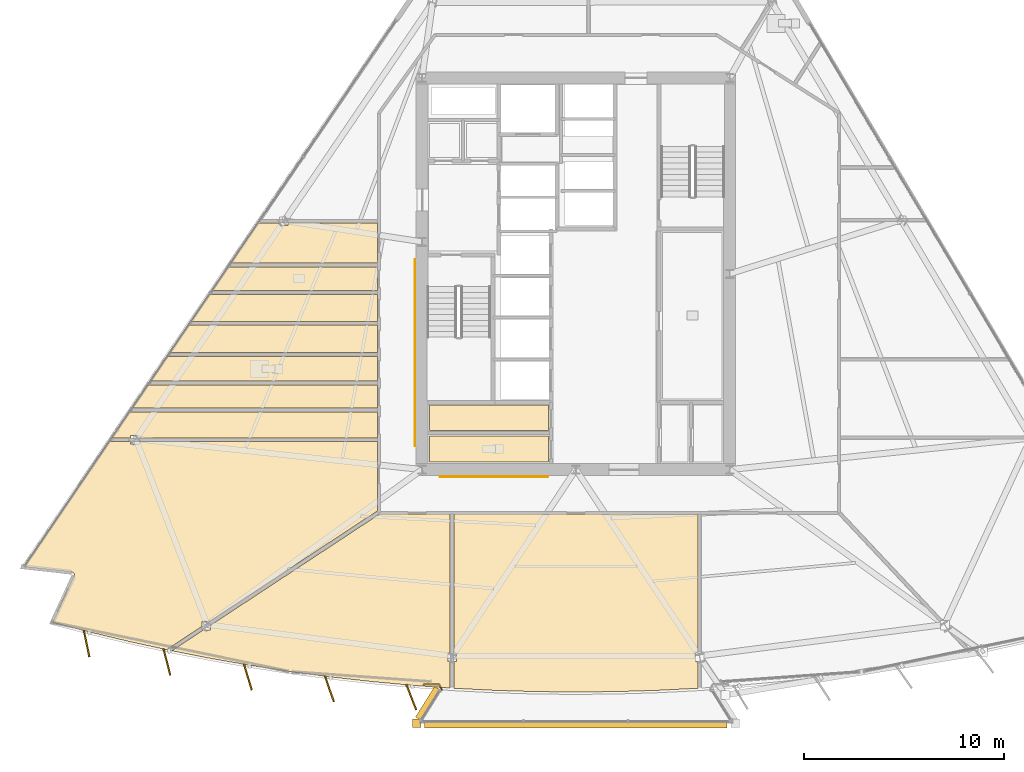
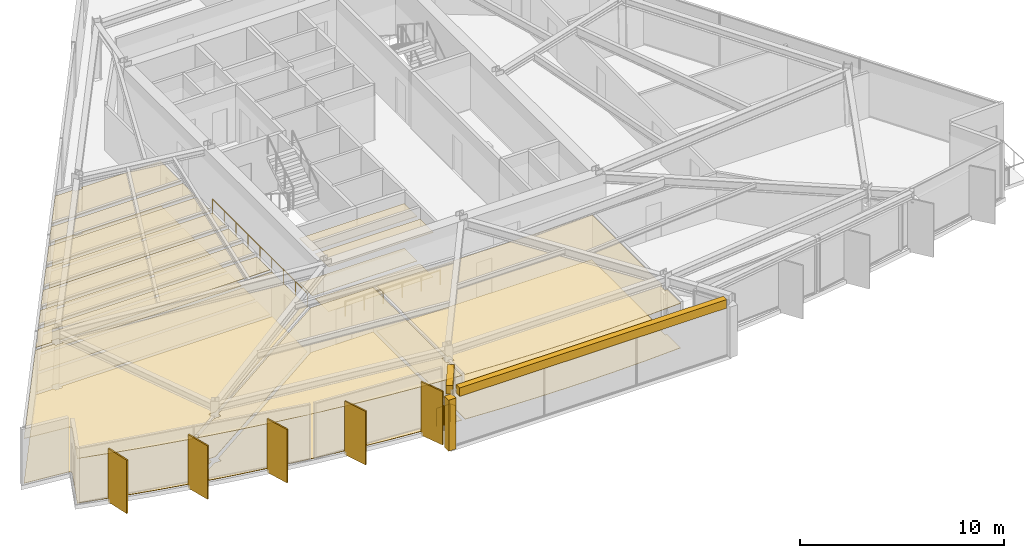
# One storey, part 11 of 15: 27 coverings, 5 shading devices, 3 railings.
"""IFC4 building model written with IfcOpenShell, lengths in metres."""

from ifc_helpers import new_model, si_unit, direction, frame, origin, origin_2d, place, context, subcontext, project, spatial, polyline, rectangle, circle, outline, extrude, material, layer, layer_set, type_object, element, save


model = new_model("IFC4")

# Units and contexts
model_context = context("Model", 3, precision=1e-05, world=origin(), true_north=direction((0.0, 1.0)))
body_context = subcontext(model_context, "Body", "Model", "MODEL_VIEW")
ifc_project = project(units=[si_unit("LENGTHUNIT", "METRE"), si_unit("AREAUNIT", "SQUARE_METRE"), si_unit("VOLUMEUNIT", "CUBIC_METRE"), si_unit("PLANEANGLEUNIT", "RADIAN"), si_unit("MASSUNIT", "GRAM", prefix="KILO")], contexts=[model_context])

# Site, building, storey
site_placement = place(None, origin())
site = spatial("IfcSite", under=ifc_project, at=site_placement, CompositionType="ELEMENT")
building_placement = place(site_placement, origin())
building = spatial("IfcBuilding", under=site, at=building_placement, Name="Savorim Split Tower", CompositionType="ELEMENT")
storey_placement = place(building_placement, frame((0.0, 0.0, 118.5)))
storey = spatial("IfcBuildingStorey", under=building, at=storey_placement, Name="L31", CompositionType="ELEMENT", Elevation=118.5)

# Coverings
ifc_material_1 = material(Name="Mineral Fibre Acoustic Ceiling")
ifc_layer_1 = layer(ifc_material_1, 0.02490234375)
ifc_layer_set_1 = layer_set([ifc_layer_1], Name="COV-CEIL-25")
covering_type_1 = type_object("IfcCoveringType", Name="COV-CEIL-25", PredefinedType="CEILING", material=ifc_layer_set_1)
covering_1_placement = place(storey_placement, frame((0.0, 0.0, 2.669921875)))
element("IfcCovering", 1, at=covering_1_placement, inside=storey, type_object=covering_type_1, Name="L31 Cleaning Store Acoustic Ceiling", PredefinedType="CEILING", context=body_context, shape_type="SweptSolid", body=[
    extrude(outline(polyline([(-7.320068359375, -6.179931640625), (-7.320068359375, -7.43994140625), (-1.3798828125, -7.43994140625), (-1.3798828125, -6.179931640625), (-7.320068359375, -6.179931640625)])), origin(), (0.0, 0.0, 1.0), 0.025146484375),
])
covering_2_placement = place(storey_placement, frame((0.0, 0.0, 2.669921875)))
element("IfcCovering", 2, at=covering_2_placement, inside=storey, type_object=covering_type_1, Name="L31 Public WC Acoustic Ceiling", PredefinedType="CEILING", context=body_context, shape_type="SweptSolid", body=[
    extrude(outline(polyline([(-7.320068359375, -7.719970703125), (-7.320068359375, -9.02001953125), (-1.3798828125, -9.02001953125), (-1.3798828125, -7.719970703125), (-7.320068359375, -7.719970703125)])), origin(), (0.0, 0.0, 1.0), 0.025146484375),
])
covering_3_placement = place(storey_placement, frame((0.0, 0.0, 2.669921875)))
element("IfcCovering", 3, at=covering_3_placement, inside=storey, type_object=covering_type_1, Name="L31 Shared Kitchen Acoustic Ceiling", PredefinedType="CEILING", context=body_context, shape_type="SweptSolid", body=[
    extrude(outline(polyline([(-17.39208984375, 0.74853515625), (-18.205322265625, -0.447021484375), (-9.919921875, -0.447021484375), (-9.919921875, 0.74853515625), (-17.39208984375, 0.74853515625)])), origin(), (0.0, 0.0, 1.0), 0.025146484375),
])
covering_4_placement = place(storey_placement, frame((0.0, 0.0, 2.669921875)))
element("IfcCovering", 4, at=covering_4_placement, inside=storey, type_object=covering_type_1, Name="L31 Maker Workshop Acoustic Ceiling", PredefinedType="CEILING", context=body_context, shape_type="SweptSolid", body=[
    extrude(outline(polyline([(-18.334716796875, -0.63720703125), (-19.247314453125, -1.97900390625), (-9.919921875, -1.97900390625), (-9.919921875, -0.63720703125), (-18.334716796875, -0.63720703125)])), origin(), (0.0, 0.0, 1.0), 0.025146484375),
])
covering_5_placement = place(storey_placement, frame((0.0, 0.0, 2.669921875)))
element("IfcCovering", 5, at=covering_5_placement, inside=storey, type_object=covering_type_1, Name="L31 Quiet Study Room Acoustic Ceiling", PredefinedType="CEILING", context=body_context, shape_type="SweptSolid", body=[
    extrude(outline(polyline([(-19.376708984375, -2.1689453125), (-20.316650390625, -3.55078125), (-9.919921875, -3.55078125), (-9.919921875, -2.1689453125), (-19.376708984375, -2.1689453125)])), origin(), (0.0, 0.0, 1.0), 0.025146484375),
])
covering_6_placement = place(storey_placement, frame((0.0, 0.0, 2.669921875)))
element("IfcCovering", 6, at=covering_6_placement, inside=storey, type_object=covering_type_1, Name="L31 Shared Bathroom Acoustic Ceiling", PredefinedType="CEILING", context=body_context, shape_type="SweptSolid", body=[
    extrude(outline(polyline([(-20.44580078125, -3.74072265625), (-21.283203125, -4.9716796875), (-9.919921875, -4.9716796875), (-9.919921875, -3.74072265625), (-20.44580078125, -3.74072265625)])), origin(), (0.0, 0.0, 1.0), 0.025146484375),
])
covering_7_placement = place(storey_placement, frame((0.0, 0.0, 2.669921875)))
element("IfcCovering", 7, at=covering_7_placement, inside=storey, type_object=covering_type_1, Name="L31 Maker Workshop Acoustic Ceiling", PredefinedType="CEILING", context=body_context, shape_type="SweptSolid", body=[
    extrude(outline(polyline([(-21.41259765625, -5.16162109375), (-22.2001953125, -6.319580078125), (-9.919921875, -6.319580078125), (-9.919921875, -5.16162109375), (-21.41259765625, -5.16162109375)])), origin(), (0.0, 0.0, 1.0), 0.025146484375),
])
covering_8_placement = place(storey_placement, frame((0.0, 0.0, 2.669921875)))
element("IfcCovering", 8, at=covering_8_placement, inside=storey, type_object=covering_type_1, Name="L31 Quiet Study Room Acoustic Ceiling", PredefinedType="CEILING", context=body_context, shape_type="SweptSolid", body=[
    extrude(outline(polyline([(-21.853515625, -7.690673828125), (-21.853515625, -7.813720703125), (-9.919921875, -7.813720703125), (-9.919921875, -6.509521484375), (-22.32958984375, -6.509521484375), (-23.216796875, -7.813720703125), (-22.279296875, -7.813720703125), (-22.279296875, -7.690673828125), (-21.853515625, -7.690673828125)])), origin(), (0.0, 0.0, 1.0), 0.025146484375),
])
covering_9_placement = place(storey_placement, frame((0.0, 0.0, 2.669921875)))
element("IfcCovering", 9, at=covering_9_placement, inside=storey, type_object=covering_type_1, Name="L31 Maker Workshop Acoustic Ceiling", PredefinedType="CEILING", context=body_context, shape_type="SweptSolid", body=[
    extrude(outline(polyline([(-25.099609375, -14.64453125), (-25.099365234375, -14.656494140625), (-25.100341796875, -14.66845703125), (-25.1025390625, -14.68017578125), (-25.105712890625, -14.691650390625), (-25.1103515625, -14.70263671875), (-26.186279296875, -17.044921875), (-24.34130859375, -17.52734375), (-22.348876953125, -18.005126953125), (-20.3876953125, -18.43310546875), (-20.426513671875, -18.374267578125), (-18.702880859375, -17.239990234375), (-18.702880859375, -16.99560546875), (-18.33154296875, -16.99560546875), (-9.948486328125, -11.478271484375), (-9.919921875, -11.459716796875), (-9.919921875, -8.003662109375), (-21.853515625, -8.003662109375), (-21.853515625, -8.126708984375), (-22.279296875, -8.126708984375), (-22.279296875, -8.003662109375), (-23.220703125, -8.003662109375), (-23.31591796875, -8.003662109375), (-23.31591796875, -7.95947265625), (-27.605712890625, -14.265380859375), (-25.2060546875, -14.533203125), (-25.194091796875, -14.535400390625), (-25.1826171875, -14.538330078125), (-25.17138671875, -14.54248046875), (-25.160888671875, -14.5478515625), (-25.150634765625, -14.55419921875), (-25.141357421875, -14.561279296875), (-25.132568359375, -14.569580078125), (-25.124755859375, -14.57861328125), (-25.117919921875, -14.58837890625), (-25.112060546875, -14.598876953125), (-25.107177734375, -14.609619140625), (-25.103515625, -14.62109375), (-25.10107421875, -14.6328125), (-25.099609375, -14.64453125)])), origin(), (0.0, 0.0, 1.0), 0.025146484375),
])
covering_10_placement = place(storey_placement, frame((0.0, 0.0, 2.669921875)))
element("IfcCovering", 10, at=covering_10_placement, inside=storey, type_object=covering_type_1, Name="L31 Maker Workshop Acoustic Ceiling", PredefinedType="CEILING", context=body_context, shape_type="SweptSolid", body=[
    extrude(outline(polyline([(-14.2939453125, -19.505615234375), (-12.262939453125, -19.77734375), (-10.22705078125, -20.007568359375), (-8.186767578125, -20.196044921875), (-6.2919921875, -20.331787109375), (-6.2919921875, -19.009765625), (-6.409912109375, -19.009765625), (-6.409912109375, -18.57373046875), (-6.2919921875, -18.57373046875), (-6.2919921875, -11.6201171875), (-9.780029296875, -11.6201171875), (-9.793701171875, -11.619384765625), (-9.807373046875, -11.6171875), (-9.812255859375, -11.6162109375), (-18.277099609375, -17.18701171875), (-18.277099609375, -17.431396484375), (-18.6484375, -17.431396484375), (-20.221435546875, -18.466796875), (-18.336669921875, -18.837890625), (-16.318603515625, -19.1923828125), (-14.2939453125, -19.505615234375)])), origin(), (0.0, 0.0, 1.0), 0.025146484375),
])
covering_11_placement = place(storey_placement, frame((0.0, 0.0, 2.669921875)))
element("IfcCovering", 11, at=covering_11_placement, inside=storey, type_object=covering_type_1, Name="L31 Maker Workshop Acoustic Ceiling", PredefinedType="CEILING", context=body_context, shape_type="SweptSolid", body=[
    extrude(outline(polyline([(-2.048828125, -20.51025390625), (0.0, -20.53125), (2.048828125, -20.51025390625), (4.0966796875, -20.447509765625), (6.10205078125, -20.3447265625), (6.10205078125, -19.009765625), (5.98388671875, -19.009765625), (5.98388671875, -18.57373046875), (6.10205078125, -18.57373046875), (6.10205078125, -11.6201171875), (-6.10205078125, -11.6201171875), (-6.10205078125, -18.57373046875), (-5.98388671875, -18.57373046875), (-5.98388671875, -19.009765625), (-6.10205078125, -19.009765625), (-6.10205078125, -20.28857421875), (-6.10205078125, -20.3447265625), (-4.0966796875, -20.447509765625), (-2.048828125, -20.51025390625)])), origin(), (0.0, 0.0, 1.0), 0.025146484375),
])
covering_12_placement = place(storey_placement, frame((0.0, 0.0, 2.669921875)))
element("IfcCovering", 12, at=covering_12_placement, inside=storey, type_object=covering_type_1, Name="L31 Maker Workshop Acoustic Ceiling", PredefinedType="CEILING", context=body_context, shape_type="SweptSolid", body=[
    extrude(outline(polyline([(-14.838134765625, 2.934814453125), (-15.77978515625, 2.934814453125), (-15.874755859375, 2.934814453125), (-15.874755859375, 2.97900390625), (-17.2626953125, 0.9384765625), (-9.919921875, 0.9384765625), (-9.919921875, 2.934814453125), (-14.412109375, 2.934814453125), (-14.412109375, 2.811767578125), (-14.838134765625, 2.811767578125), (-14.838134765625, 2.934814453125)])), origin(), (0.0, 0.0, 1.0), 0.025146484375),
])
ifc_material_2 = material(Name="Porcelain Stoneware Flooring", Category="masonry")
ifc_layer_2 = layer(ifc_material_2, 0.02001953125)
ifc_layer_set_2 = layer_set([ifc_layer_2], Name="COV-FLOR-20")
covering_type_2 = type_object("IfcCoveringType", Name="COV-FLOR-20", PredefinedType="FLOORING", material=ifc_layer_set_2)
covering_13_placement = place(storey_placement, origin())
element("IfcCovering", 13, at=covering_13_placement, inside=storey, type_object=covering_type_2, Name="L31 Cleaning Store Porcelain Flooring", PredefinedType="FLOORING", context=body_context, shape_type="SweptSolid", body=[
    extrude(outline(polyline([(-7.320068359375, -6.179931640625), (-7.320068359375, -7.43994140625), (-1.3798828125, -7.43994140625), (-1.3798828125, -6.179931640625), (-7.320068359375, -6.179931640625)])), origin(), (0.0, 0.0, 1.0), 0.02001953125),
])
covering_14_placement = place(storey_placement, origin())
element("IfcCovering", 14, at=covering_14_placement, inside=storey, type_object=covering_type_2, Name="L31 Public WC Porcelain Flooring", PredefinedType="FLOORING", context=body_context, shape_type="SweptSolid", body=[
    extrude(outline(polyline([(-7.320068359375, -7.719970703125), (-7.320068359375, -9.02001953125), (-1.3798828125, -9.02001953125), (-1.3798828125, -7.719970703125), (-7.320068359375, -7.719970703125)])), origin(), (0.0, 0.0, 1.0), 0.02001953125),
])
covering_15_placement = place(storey_placement, origin())
element("IfcCovering", 15, at=covering_15_placement, inside=storey, type_object=covering_type_2, Name="L31 Shared Kitchen Porcelain Flooring", PredefinedType="FLOORING", context=body_context, shape_type="SweptSolid", body=[
    extrude(outline(polyline([(-17.39208984375, 0.74853515625), (-18.205322265625, -0.447021484375), (-9.919921875, -0.447021484375), (-9.919921875, 0.74853515625), (-17.39208984375, 0.74853515625)])), origin(), (0.0, 0.0, 1.0), 0.02001953125),
])
covering_16_placement = place(storey_placement, origin())
element("IfcCovering", 16, at=covering_16_placement, inside=storey, type_object=covering_type_2, Name="L31 Maker Workshop Porcelain Flooring", PredefinedType="FLOORING", context=body_context, shape_type="SweptSolid", body=[
    extrude(outline(polyline([(-18.334716796875, -0.63720703125), (-19.247314453125, -1.97900390625), (-9.919921875, -1.97900390625), (-9.919921875, -0.63720703125), (-18.334716796875, -0.63720703125)])), origin(), (0.0, 0.0, 1.0), 0.02001953125),
])
covering_17_placement = place(storey_placement, origin())
element("IfcCovering", 17, at=covering_17_placement, inside=storey, type_object=covering_type_2, Name="L31 Quiet Study Room Porcelain Flooring", PredefinedType="FLOORING", context=body_context, shape_type="SweptSolid", body=[
    extrude(outline(polyline([(-19.376708984375, -2.1689453125), (-20.316650390625, -3.55078125), (-9.919921875, -3.55078125), (-9.919921875, -2.1689453125), (-19.376708984375, -2.1689453125)])), origin(), (0.0, 0.0, 1.0), 0.02001953125),
])
covering_18_placement = place(storey_placement, origin())
element("IfcCovering", 18, at=covering_18_placement, inside=storey, type_object=covering_type_2, Name="L31 Shared Bathroom Porcelain Flooring", PredefinedType="FLOORING", context=body_context, shape_type="SweptSolid", body=[
    extrude(outline(polyline([(-20.44580078125, -3.74072265625), (-21.283203125, -4.9716796875), (-9.919921875, -4.9716796875), (-9.919921875, -3.74072265625), (-20.44580078125, -3.74072265625)])), origin(), (0.0, 0.0, 1.0), 0.02001953125),
])
covering_19_placement = place(storey_placement, origin())
element("IfcCovering", 19, at=covering_19_placement, inside=storey, type_object=covering_type_2, Name="L31 Maker Workshop Porcelain Flooring", PredefinedType="FLOORING", context=body_context, shape_type="SweptSolid", body=[
    extrude(outline(polyline([(-21.41259765625, -5.16162109375), (-22.2001953125, -6.319580078125), (-9.919921875, -6.319580078125), (-9.919921875, -5.16162109375), (-21.41259765625, -5.16162109375)])), origin(), (0.0, 0.0, 1.0), 0.02001953125),
])
covering_20_placement = place(storey_placement, origin())
element("IfcCovering", 20, at=covering_20_placement, inside=storey, type_object=covering_type_2, Name="L31 Quiet Study Room Porcelain Flooring", PredefinedType="FLOORING", context=body_context, shape_type="SweptSolid", body=[
    extrude(outline(polyline([(-21.853515625, -7.690673828125), (-21.853515625, -7.813720703125), (-9.919921875, -7.813720703125), (-9.919921875, -6.509521484375), (-22.32958984375, -6.509521484375), (-23.216796875, -7.813720703125), (-22.279296875, -7.813720703125), (-22.279296875, -7.690673828125), (-21.853515625, -7.690673828125)])), origin(), (0.0, 0.0, 1.0), 0.02001953125),
])
covering_21_placement = place(storey_placement, origin())
element("IfcCovering", 21, at=covering_21_placement, inside=storey, type_object=covering_type_2, Name="L31 Maker Workshop Porcelain Flooring", PredefinedType="FLOORING", context=body_context, shape_type="SweptSolid", body=[
    extrude(outline(polyline([(-25.099609375, -14.64453125), (-25.099365234375, -14.656494140625), (-25.100341796875, -14.66845703125), (-25.1025390625, -14.68017578125), (-25.105712890625, -14.691650390625), (-25.1103515625, -14.70263671875), (-26.186279296875, -17.044921875), (-24.34130859375, -17.52734375), (-22.348876953125, -18.005126953125), (-20.3876953125, -18.43310546875), (-20.426513671875, -18.374267578125), (-18.702880859375, -17.239990234375), (-18.702880859375, -16.99560546875), (-18.33154296875, -16.99560546875), (-9.948486328125, -11.478271484375), (-9.919921875, -11.459716796875), (-9.919921875, -8.003662109375), (-21.853515625, -8.003662109375), (-21.853515625, -8.126708984375), (-22.279296875, -8.126708984375), (-22.279296875, -8.003662109375), (-23.220703125, -8.003662109375), (-23.31591796875, -8.003662109375), (-23.31591796875, -7.95947265625), (-27.605712890625, -14.265380859375), (-25.2060546875, -14.533203125), (-25.194091796875, -14.535400390625), (-25.1826171875, -14.538330078125), (-25.17138671875, -14.54248046875), (-25.160888671875, -14.5478515625), (-25.150634765625, -14.55419921875), (-25.141357421875, -14.561279296875), (-25.132568359375, -14.569580078125), (-25.124755859375, -14.57861328125), (-25.117919921875, -14.58837890625), (-25.112060546875, -14.598876953125), (-25.107177734375, -14.609619140625), (-25.103515625, -14.62109375), (-25.10107421875, -14.6328125), (-25.099609375, -14.64453125)])), origin(), (0.0, 0.0, 1.0), 0.02001953125),
])
covering_22_placement = place(storey_placement, origin())
element("IfcCovering", 22, at=covering_22_placement, inside=storey, type_object=covering_type_2, Name="L31 Maker Workshop Porcelain Flooring", PredefinedType="FLOORING", context=body_context, shape_type="SweptSolid", body=[
    extrude(outline(polyline([(-14.2939453125, -19.505615234375), (-12.262939453125, -19.77734375), (-10.22705078125, -20.007568359375), (-8.186767578125, -20.196044921875), (-6.2919921875, -20.331787109375), (-6.2919921875, -19.009765625), (-6.409912109375, -19.009765625), (-6.409912109375, -18.57373046875), (-6.2919921875, -18.57373046875), (-6.2919921875, -11.6201171875), (-9.780029296875, -11.6201171875), (-9.793701171875, -11.619384765625), (-9.807373046875, -11.6171875), (-9.812255859375, -11.6162109375), (-18.277099609375, -17.18701171875), (-18.277099609375, -17.431396484375), (-18.6484375, -17.431396484375), (-20.221435546875, -18.466796875), (-18.336669921875, -18.837890625), (-16.318603515625, -19.1923828125), (-14.2939453125, -19.505615234375)])), origin(), (0.0, 0.0, 1.0), 0.02001953125),
])
covering_23_placement = place(storey_placement, origin())
element("IfcCovering", 23, at=covering_23_placement, inside=storey, type_object=covering_type_2, Name="L31 Maker Workshop Porcelain Flooring", PredefinedType="FLOORING", context=body_context, shape_type="SweptSolid", body=[
    extrude(outline(polyline([(-2.048828125, -20.51025390625), (0.0, -20.53125), (2.048828125, -20.51025390625), (4.0966796875, -20.447509765625), (6.10205078125, -20.3447265625), (6.10205078125, -19.009765625), (5.98388671875, -19.009765625), (5.98388671875, -18.57373046875), (6.10205078125, -18.57373046875), (6.10205078125, -11.6201171875), (-6.10205078125, -11.6201171875), (-6.10205078125, -18.57373046875), (-5.98388671875, -18.57373046875), (-5.98388671875, -19.009765625), (-6.10205078125, -19.009765625), (-6.10205078125, -20.28857421875), (-6.10205078125, -20.3447265625), (-4.0966796875, -20.447509765625), (-2.048828125, -20.51025390625)])), origin(), (0.0, 0.0, 1.0), 0.02001953125),
])
covering_24_placement = place(storey_placement, origin())
element("IfcCovering", 24, at=covering_24_placement, inside=storey, type_object=covering_type_2, Name="L31 Maker Workshop Porcelain Flooring", PredefinedType="FLOORING", context=body_context, shape_type="SweptSolid", body=[
    extrude(outline(polyline([(-14.838134765625, 2.934814453125), (-15.77978515625, 2.934814453125), (-15.874755859375, 2.934814453125), (-15.874755859375, 2.97900390625), (-17.2626953125, 0.9384765625), (-9.919921875, 0.9384765625), (-9.919921875, 2.934814453125), (-14.412109375, 2.934814453125), (-14.412109375, 2.811767578125), (-14.838134765625, 2.811767578125), (-14.838134765625, 2.934814453125)])), origin(), (0.0, 0.0, 1.0), 0.02001953125),
])
ifc_material_3 = material(Name="White Porcelain Architectural Cladding")
ifc_layer_3 = layer(ifc_material_3, 0.139892578125)
ifc_layer_set_3 = layer_set([ifc_layer_3], Name="COV-FRM-WHITE")
covering_type_3 = type_object("IfcCoveringType", Name="COV-FRM-WHITE", PredefinedType="CLADDING", material=ifc_layer_set_3)
covering_25_placement = place(storey_placement, frame((0.0, 0.0, 3.080078125)))
element("IfcCovering", 25, at=covering_25_placement, inside=storey, type_object=covering_type_3, Name="L31 Cantilevered Lounge White Upper Cornice Band W", PredefinedType="CLADDING", context=body_context, shape_type="SweptSolid", body=[
    extrude(outline(polyline([(-7.0693359375, -20.25439453125), (-8.02587890625, -21.779296875), (-7.73779296875, -21.9599609375), (-6.78125, -20.435302734375), (-7.0693359375, -20.25439453125)])), origin(), (0.0, 0.0, 1.0), 0.510009765625),
])
covering_26_placement = place(storey_placement, frame((0.0, 0.0, 3.080078125)))
element("IfcCovering", 26, at=covering_26_placement, inside=storey, type_object=covering_type_3, Name="L31 Cantilevered Lounge White Upper Cornice Band F", PredefinedType="CLADDING", context=body_context, shape_type="SweptSolid", body=[
    extrude(outline(polyline([(-7.56689453125, -22.319580078125), (7.56689453125, -22.319580078125), (7.56689453125, -21.9794921875), (-7.56689453125, -21.9794921875), (-7.56689453125, -22.319580078125)])), origin(), (0.0, 0.0, 1.0), 0.510009765625),
])
covering_27_placement = place(storey_placement, frame((0.0, 0.0, 0.010009765625)))
element("IfcCovering", 27, at=covering_27_placement, inside=storey, type_object=covering_type_3, Name="L31 Cantilevered Lounge White Frame Corner Post 1", PredefinedType="CLADDING", context=body_context, shape_type="SweptSolid", body=[
    extrude(outline(polyline([(-8.177001953125, -22.3095703125), (-7.757080078125, -22.3095703125), (-7.757080078125, -21.889404296875), (-8.177001953125, -21.889404296875), (-8.177001953125, -22.3095703125)])), origin(), (0.0, 0.0, 1.0), 3.050048828125),
])

# Railings
ifc_material_4 = material(Name="Galvanised Painted Steel Balustrade", Category="steel")
railing_type_1 = type_object("IfcRailingType", Name="RLG-BAL-1100", PredefinedType="BALUSTRADE", material=ifc_material_4)
railing_1_placement = place(storey_placement, frame((-7.620361328125, -20.153564453125, 0.0)))
element("IfcRailing", 28, at=railing_1_placement, inside=storey, type_object=railing_type_1, Name="L31 Cantilevered Lounge West Edge Closure Guard", PredefinedType="BALUSTRADE", context=body_context, shape_type="SweptSolid", body=[
    extrude(circle(Radius=0.02392578125, at=origin_2d()), frame((0.0, 0.0, 1.076171875), z_axis=(1.0, 0.0, 0.0), x_axis=(0.0, 1.0, 0.0)), (0.0, 0.0, 1.0), 0.780029296875),
    extrude(circle(Radius=0.02392578125, at=origin_2d()), frame((0.780029296875, 0.0, 1.076171875), z_axis=(0.464364723977, -0.885644061193, 0.0), x_axis=(0.885644061193, 0.464364723977, 0.0)), (0.0, 0.0, 1.0), 0.305908203125),
    extrude(circle(Radius=0.02099609375, at=origin_2d()), origin(), (0.0, 0.0, 1.0), 1.052001953125),
    extrude(circle(Radius=0.02099609375, at=origin_2d()), frame((0.780029296875, 0.0, 0.0)), (0.0, 0.0, 1.0), 1.052001953125),
    extrude(circle(Radius=0.02099609375, at=origin_2d()), frame((0.922119140625, -0.27099609375, 0.0)), (0.0, 0.0, 1.0), 1.052001953125),
])
railing_type_2 = type_object("IfcRailingType", Name="RLG-HR-900", PredefinedType="HANDRAIL", material=ifc_material_4)
railing_2_placement = place(storey_placement, frame((-6.800048828125, -9.75, 0.0)))
element("IfcRailing", 29, at=railing_2_placement, inside=storey, type_object=railing_type_2, Name="L31 Corridor South Accessible Handrail", PredefinedType="HANDRAIL", context=body_context, shape_type="SweptSolid", body=[
    extrude(circle(Radius=0.02392578125, at=origin_2d()), frame((0.0, 0.0, 0.8759765625), z_axis=(1.0, 0.0, 0.0), x_axis=(0.0, 1.0, 0.0)), (0.0, 0.0, 1.0), 5.400146484375),
    extrude(circle(Radius=0.02099609375, at=origin_2d()), origin(), (0.0, 0.0, 1.0), 0.851806640625),
    extrude(circle(Radius=0.02099609375, at=origin_2d()), frame((1.080078125, 0.0, 0.0)), (0.0, 0.0, 1.0), 0.851806640625),
    extrude(circle(Radius=0.02099609375, at=origin_2d()), frame((2.16015625, 0.0, 0.0)), (0.0, 0.0, 1.0), 0.851806640625),
    extrude(circle(Radius=0.02099609375, at=origin_2d()), frame((3.239990234375, 0.0, 0.0)), (0.0, 0.0, 1.0), 0.851806640625),
    extrude(circle(Radius=0.02099609375, at=origin_2d()), frame((4.320068359375, 0.0, 0.0)), (0.0, 0.0, 1.0), 0.851806640625),
    extrude(circle(Radius=0.02099609375, at=origin_2d()), frame((5.400146484375, 0.0, 0.0)), (0.0, 0.0, 1.0), 0.851806640625),
])
railing_3_placement = place(storey_placement, frame((-8.050048828125, -8.199951171875, 0.0)))
element("IfcRailing", 30, at=railing_3_placement, inside=storey, type_object=railing_type_2, Name="L31 Corridor West Accessible Handrail", PredefinedType="HANDRAIL", context=body_context, shape_type="SweptSolid", body=[
    extrude(circle(Radius=0.02392578125, at=origin_2d()), frame((0.0, 0.0, 0.8759765625), z_axis=(0.0, 1.0, 0.0), x_axis=(-1.0, 0.0, 0.0)), (0.0, 0.0, 1.0), 9.300048828125),
    extrude(circle(Radius=0.02099609375, at=origin_2d()), origin(), (0.0, 0.0, 1.0), 0.851806640625),
    extrude(circle(Radius=0.02099609375, at=origin_2d()), frame((0.0, 1.16259765625, 0.0)), (0.0, 0.0, 1.0), 0.851806640625),
    extrude(circle(Radius=0.02099609375, at=origin_2d()), frame((0.0, 2.324951171875, 0.0)), (0.0, 0.0, 1.0), 0.851806640625),
    extrude(circle(Radius=0.02099609375, at=origin_2d()), frame((0.0, 3.487548828125, 0.0)), (0.0, 0.0, 1.0), 0.851806640625),
    extrude(circle(Radius=0.02099609375, at=origin_2d()), frame((0.0, 4.64990234375, 0.0)), (0.0, 0.0, 1.0), 0.851806640625),
    extrude(circle(Radius=0.02099609375, at=origin_2d()), frame((0.0, 5.8125, 0.0)), (0.0, 0.0, 1.0), 0.851806640625),
    extrude(circle(Radius=0.02099609375, at=origin_2d()), frame((0.0, 6.97509765625, 0.0)), (0.0, 0.0, 1.0), 0.851806640625),
    extrude(circle(Radius=0.02099609375, at=origin_2d()), frame((0.0, 8.137451171875, 0.0)), (0.0, 0.0, 1.0), 0.851806640625),
    extrude(circle(Radius=0.02099609375, at=origin_2d()), frame((0.0, 9.300048828125, 0.0)), (0.0, 0.0, 1.0), 0.851806640625),
])

# Shading devices
ifc_material_5 = material(Name="Terracotta Ceramic-Coated Aluminium Fin", Category="masonry")
shading_device_type = type_object("IfcShadingDeviceType", Name="SHD-FIN-1360", PredefinedType="USERDEFINED", material=ifc_material_5)
for number, where, z_axis, x_axis, name in (
    (31, (-24.486328125, -18.105712890625, -0.2001953125), (0.0, 0.0, 1.0), (0.206721626106, -0.978399800337, 0.0), "L31 Sawtooth Shading Fin 01"),
    (32, (-20.46826171875, -19.025634765625, -0.2001953125), (0.0, 0.0, 1.0), (0.246581250663, -0.969122121727, 0.0), "L31 Sawtooth Shading Fin 02"),
    (33, (-16.415771484375, -19.780517578125, -0.2001953125), (0.0, 0.0, 1.0), (0.286026212504, -0.958221793616, 0.0), "L31 Sawtooth Shading Fin 03"),
    (34, (-12.3359375, -20.368896484375, -0.2001953125), (0.0, 0.0, 1.0), (0.324993810493, -0.945716143005, 0.0), "L31 Sawtooth Shading Fin 04"),
    (35, (-8.235595703125, -20.7900390625, -0.2001953125), (0.0, 0.0, 1.0), (0.363415461732, -0.931627179817, 0.0), "L31 Sawtooth Shading Fin 05"),
):
    element("IfcShadingDevice", number, at=place(storey_placement, frame(where, z_axis=z_axis, x_axis=x_axis)), inside=storey, type_object=shading_device_type, Name=name, ObjectType="FIN", PredefinedType="USERDEFINED", context=body_context, shape_type="SweptSolid", body=[
        extrude(rectangle(XDim=1.360107421875, YDim=0.080078125, at=origin_2d()), origin(), (0.0, 0.0, 1.0), 3.199951171875),
    ])

save(model, "model.ifc")
